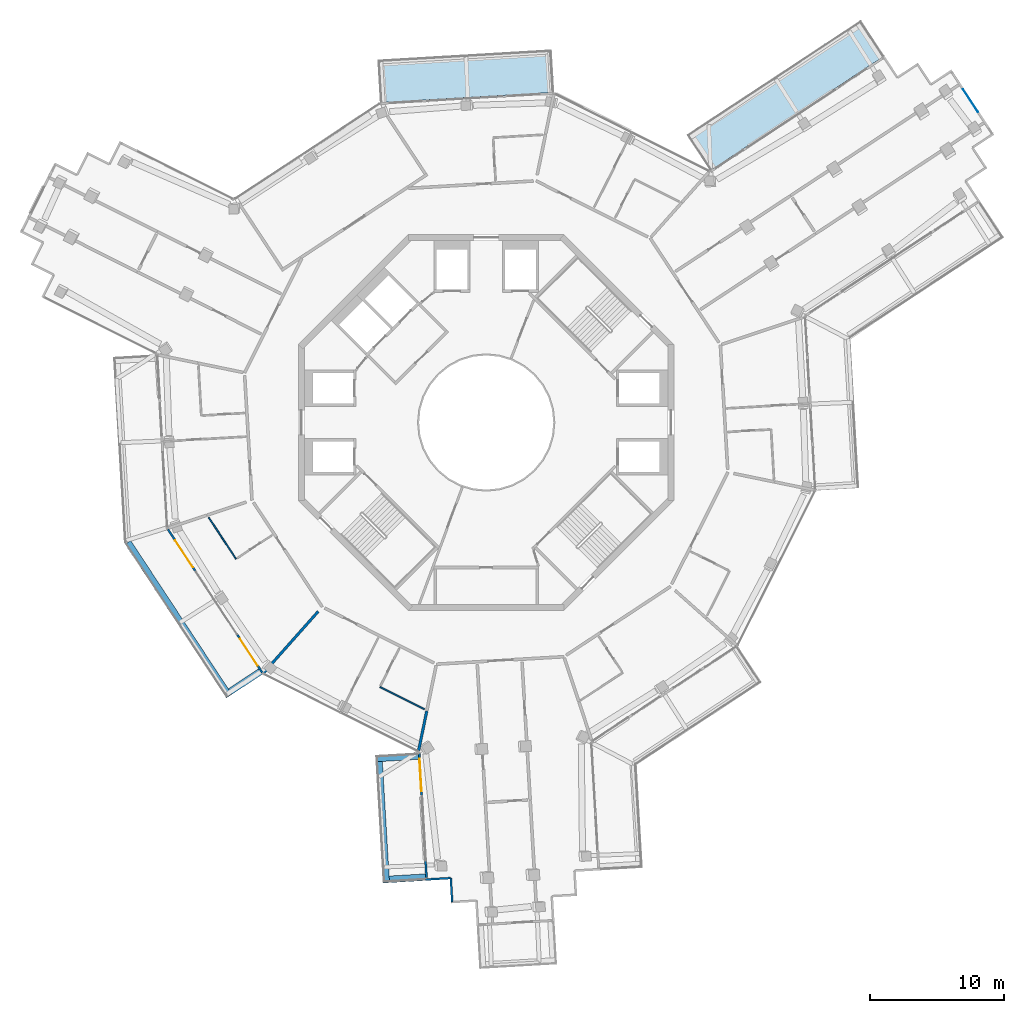
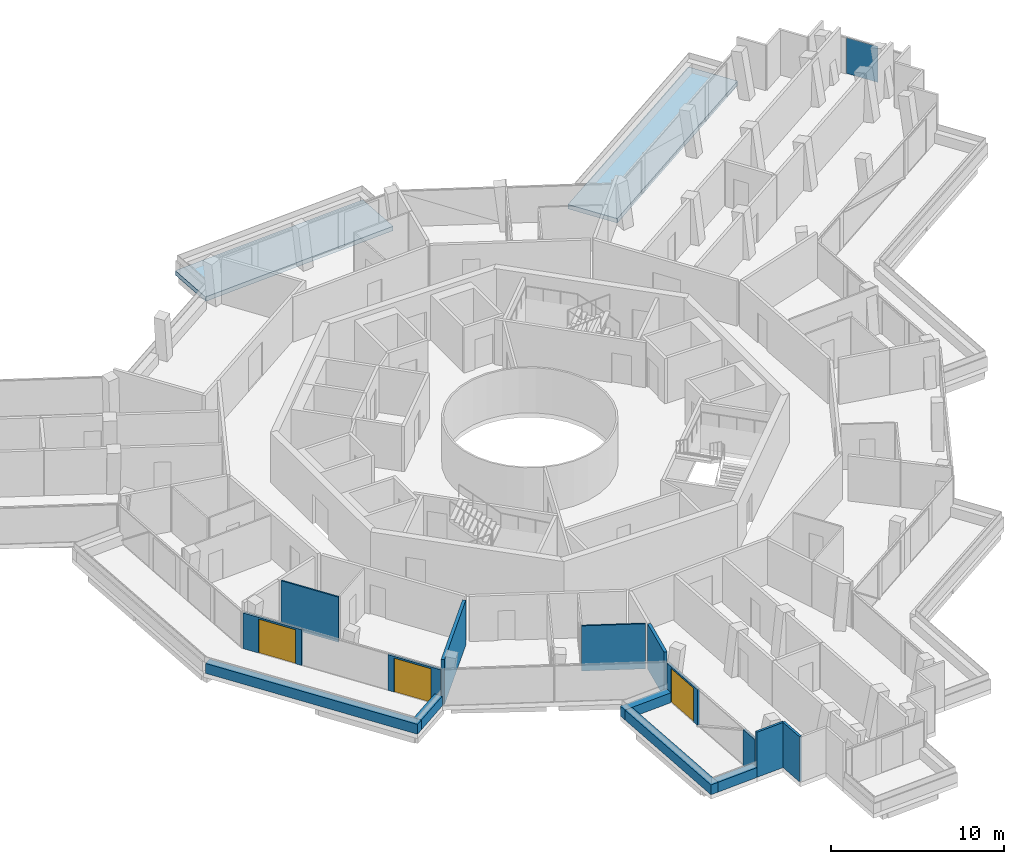
# One storey, part 17 of 26: 15 walls, 3 doors, 2 slabs, 1 plate, 3 openings, 1 element without a shape of its own.
"""IFC4 building model written with IfcOpenShell, lengths in metres."""

from ifc_helpers import new_model, si_unit, direction, frame, frame_2d, origin, origin_2d, place, context, subcontext, project, spatial, polyline, rectangle, outline, extrude, material, layer, layer_set, type_object, element, fill, aggregate, save


model = new_model("IFC4")

# Units and contexts
model_context = context("Model", 3, precision=1e-05, world=origin(), true_north=direction((0.0, 1.0)))
body_context = subcontext(model_context, "Body", "Model", "MODEL_VIEW")
ifc_project = project(units=[si_unit("LENGTHUNIT", "METRE"), si_unit("AREAUNIT", "SQUARE_METRE"), si_unit("VOLUMEUNIT", "CUBIC_METRE"), si_unit("PLANEANGLEUNIT", "RADIAN"), si_unit("MASSUNIT", "GRAM", prefix="KILO")], contexts=[model_context])

# Site, building, storey
site_placement = place(None, origin())
site = spatial("IfcSite", under=ifc_project, at=site_placement, CompositionType="ELEMENT")
building_placement = place(site_placement, origin())
building = spatial("IfcBuilding", under=site, at=building_placement, Name="Verdalira Terraces Hotel", CompositionType="ELEMENT")
storey_placement = place(building_placement, frame((0.0, 0.0, 291.5)))
storey = spatial("IfcBuildingStorey", under=building, at=storey_placement, Name="L72", CompositionType="ELEMENT", Elevation=291.5)

# Slabs
ifc_material_1 = material(Name="Precast concrete C40/50", Category="concrete")
ifc_layer_1 = layer(ifc_material_1, 0.31005859375)
ifc_layer_set_1 = layer_set([ifc_layer_1], Name="Balcony deck 310")
slab_type = type_object("IfcSlabType", Name="Balcony deck 310", PredefinedType="FLOOR", material=ifc_layer_set_1)
slab_1_placement = place(storey_placement, frame((0.0, 0.0, -0.310059)))
element("IfcSlab", 1, at=slab_1_placement, inside=storey, type_object=slab_type, Name="Balcony deck", PredefinedType="FLOOR", context=body_context, shape_type="SweptSolid", body=[
    extrude(outline(polyline([(14.927246, 21.441406), (16.687012, 18.768555), (29.672852, 27.318115), (27.913086, 29.990967), (14.927246, 21.441406)])), origin(), (0.0, 0.0, 1.0), 0.310059),
])
slab_2_placement = place(storey_placement, frame((0.0, 0.0, -0.310059)))
element("IfcSlab", 2, at=slab_2_placement, inside=storey, type_object=slab_type, Name="Balcony deck", PredefinedType="FLOOR", context=body_context, shape_type="SweptSolid", body=[
    extrude(outline(polyline([(-8.098145, 27.030273), (-7.910645, 23.835693), (5.067139, 24.597656), (4.879395, 27.791992), (-8.098145, 27.030273)])), origin(), (0.0, 0.0, 1.0), 0.310059),
])

# Curtain wall, plate
ifc_material_2 = material(Name="Clear glass", Category="glass")
ifc_layer_2 = layer(ifc_material_2, 0.14990234375)
ifc_layer_set_2 = layer_set([ifc_layer_2], Name="CW3 curtain wall")
curtain_wall_type = type_object("IfcCurtainWallType", Name="CW3 curtain wall", PredefinedType="NOTDEFINED", material=ifc_layer_set_2)
curtain_wall_placement = place(storey_placement, origin())
curtain_wall = element("IfcCurtainWall", 3, at=curtain_wall_placement, inside=storey, type_object=curtain_wall_type, Name="CW3 curtain wall L72 edge 33", PredefinedType="NOTDEFINED")
ifc_material_3 = material(Name="Clear glass", Category="glass")
ifc_layer_3 = layer(ifc_material_3, 0.035888671875)
ifc_layer_set_3 = layer_set([ifc_layer_3], Name="CW3 glass unit 36")
plate_type = type_object("IfcPlateType", Name="CW3 glass unit 36", PredefinedType="CURTAIN_PANEL", material=ifc_layer_set_3)
plate_placement = place(storey_placement, frame((36.083984, 23.990723, 0.0), z_axis=(0.0, 0.0, 1.0), x_axis=(-0.549897772, 0.835231968, 0.0)))
plate = element("IfcPlate", 4, at=plate_placement, type_object=plate_type, Name="CW3 glass unit", PredefinedType="CURTAIN_PANEL", context=body_context, shape_type="SweptSolid", body=[
    extrude(rectangle(XDim=2.029541, YDim=0.035889, at=origin_2d()), origin(), (0.0, 0.0, 1.0), 2.524902),
])
aggregate(curtain_wall, [plate])

# Walls
ifc_material_4 = material(Name="Concrete C40", Category="concrete")
ifc_layer_4 = layer(ifc_material_4, 0.5)
ifc_layer_set_4 = layer_set([ifc_layer_4], Name="Balcony planter trough with tree")
wall_type_1 = type_object("IfcWallType", Name="Balcony planter trough with tree", PredefinedType="SOLIDWALL", material=ifc_layer_set_4)
wall_1_placement = place(storey_placement, frame((-26.69751, -8.928467, 0.0), z_axis=(0.0, 0.0, 1.0), x_axis=(0.549900075, -0.835230452, 0.0)))
element("IfcWall", 5, at=wall_1_placement, inside=storey, type_object=wall_type_1, Name="Balcony planter", PredefinedType="SOLIDWALL", context=body_context, shape_type="SweptSolid", body=[
    extrude(rectangle(XDim=13.723633, YDim=0.5, at=frame_2d((6.861816, 0.0))), origin(), (0.0, 0.0, 1.0), 0.699951),
])
wall_2_placement = place(storey_placement, frame((-19.07959, -20.044434, 0.0), z_axis=(0.0, 0.0, 1.0), x_axis=(0.835250913, 0.549868995, 0.0)))
element("IfcWall", 6, at=wall_2_placement, inside=storey, type_object=wall_type_1, Name="Balcony planter", PredefinedType="SOLIDWALL", context=body_context, shape_type="SweptSolid", body=[
    extrude(rectangle(XDim=2.698975, YDim=0.5, at=frame_2d((1.349609, 0.0))), origin(), (0.0, 0.0, 1.0), 0.699951),
])
wall_3_placement = place(storey_placement, frame((-5.053467, -24.847168, 0.0), z_axis=(0.0, 0.0, 1.0), x_axis=(-0.998280684, -0.058614646, 0.0)))
element("IfcWall", 7, at=wall_3_placement, inside=storey, type_object=wall_type_1, Name="Balcony planter", PredefinedType="SOLIDWALL", context=body_context, shape_type="SweptSolid", body=[
    extrude(rectangle(XDim=3.198975, YDim=0.5, at=frame_2d((1.599609, 0.0))), origin(), (0.0, 0.0, 1.0), 0.699951),
])
wall_4_placement = place(storey_placement, frame((-7.982666, -25.269531, 0.0), z_axis=(0.0, 0.0, 1.0), x_axis=(0.058609711, -0.998280973, 0.0)))
element("IfcWall", 8, at=wall_4_placement, inside=storey, type_object=wall_type_1, Name="Balcony planter", PredefinedType="SOLIDWALL", context=body_context, shape_type="SweptSolid", body=[
    extrude(rectangle(XDim=9.047607, YDim=0.5, at=frame_2d((4.523926, 0.0))), origin(), (0.0, 0.0, 1.0), 0.699951),
])
wall_5_placement = place(storey_placement, frame((-7.217529, -34.037354, 0.0), z_axis=(0.0, 0.0, 1.0), x_axis=(0.998280606, 0.058615969, 0.0)))
element("IfcWall", 9, at=wall_5_placement, inside=storey, type_object=wall_type_1, Name="Balcony planter", PredefinedType="SOLIDWALL", context=body_context, shape_type="SweptSolid", body=[
    extrude(rectangle(XDim=2.698975, YDim=0.5, at=frame_2d((1.349609, 0.0))), origin(), (0.0, 0.0, 1.0), 0.699951),
])
ifc_material_5 = material(Name="Moisture-resistant gypsum board partition")
ifc_layer_5 = layer(ifc_material_5, 0.10009765625)
ifc_layer_set_5 = layer_set([ifc_layer_5], Name="Bathroom partition 100 mm")
wall_type_2 = type_object("IfcWallType", Name="Bathroom partition 100 mm", PredefinedType="PARTITIONING", material=ifc_layer_set_5)
wall_6_placement = place(storey_placement, frame((-18.638916, -10.16626, 0.0), z_axis=(0.0, 0.0, 1.0), x_axis=(-0.54989974, 0.835230673, 0.0)))
element("IfcWall", 10, at=wall_6_placement, inside=storey, type_object=wall_type_2, Name="Bathroom partition", PredefinedType="PARTITIONING", context=body_context, shape_type="SweptSolid", body=[
    extrude(rectangle(XDim=3.704102, YDim=0.100098, at=frame_2d((1.852051, 0.0))), origin(), (0.0, 0.0, 1.0), 3.189941),
])
wall_7_placement = place(storey_placement, frame((-7.915283, -19.700684, 0.0), z_axis=(0.0, 0.0, 1.0), x_axis=(0.893859612, -0.448346957, 0.0)))
element("IfcWall", 11, at=wall_7_placement, inside=storey, type_object=wall_type_2, Name="Bathroom partition", PredefinedType="PARTITIONING", context=body_context, shape_type="SweptSolid", body=[
    extrude(rectangle(XDim=3.703857, YDim=0.100098, at=frame_2d((1.852051, 0.0))), origin(), (0.0, 0.0, 1.0), 3.189941),
])
ifc_material_6 = material(Name="Fire-rated gypsum board wall")
ifc_layer_6 = layer(ifc_material_6, 0.199951171875)
ifc_layer_set_6 = layer_set([ifc_layer_6], Name="Demising wall 200 mm")
wall_type_3 = type_object("IfcWallType", Name="Demising wall 200 mm", PredefinedType="SOLIDWALL", material=ifc_layer_set_6)
wall_8_placement = place(storey_placement, frame((-12.512939, -14.07373, 0.0), z_axis=(0.0, 0.0, 1.0), x_axis=(-0.664445384, -0.747336826, 0.0)))
element("IfcWall", 12, at=wall_8_placement, inside=storey, type_object=wall_type_3, Name="Demising wall", PredefinedType="SOLIDWALL", context=body_context, shape_type="SweptSolid", body=[
    extrude(rectangle(XDim=6.13208, YDim=0.199951, at=frame_2d((3.065918, 0.0))), origin(), (0.0, 0.0, 1.0), 3.189941),
])
wall_9_placement = place(storey_placement, frame((-5.036865, -24.450684, 0.0), z_axis=(0.0, 0.0, 1.0), x_axis=(0.201787882, 0.979429248, 0.0)))
element("IfcWall", 13, at=wall_9_placement, inside=storey, type_object=wall_type_3, Name="Demising wall", PredefinedType="SOLIDWALL", context=body_context, shape_type="SweptSolid", body=[
    extrude(rectangle(XDim=3.011475, YDim=0.199951, at=frame_2d((1.505859, 0.0))), origin(), (0.0, 0.0, 1.0), 3.189941),
])
ifc_material_7 = material(Name="Terracotta cladding", Category="masonry")
ifc_layer_7 = layer(ifc_material_7, 0.14990234375)
ifc_layer_set_7 = layer_set([ifc_layer_7], Name="Terracotta clad wall 150")
wall_type_4 = type_object("IfcWallType", Name="Terracotta clad wall 150", PredefinedType="SOLIDWALL", material=ifc_layer_set_7)
wall_10_placement = place(storey_placement, frame((-4.511963, -34.053711, 0.0), z_axis=(0.0, 0.0, 1.0), x_axis=(0.998281997, 0.058592265, 0.0)))
element("IfcWall", 14, at=wall_10_placement, inside=storey, type_object=wall_type_4, Name="Terracotta cladding wall", PredefinedType="SOLIDWALL", context=body_context, shape_type="SweptSolid", body=[
    extrude(rectangle(XDim=1.875, YDim=0.149902, at=frame_2d((0.9375, 0.0))), origin(), (0.0, 0.0, 1.0), 3.189941),
])
wall_11_placement = place(storey_placement, frame((-2.640137, -33.943848, 0.0), z_axis=(0.0, 0.0, 1.0), x_axis=(0.058594804, -0.998281848, 0.0)))
element("IfcWall", 15, at=wall_11_placement, inside=storey, type_object=wall_type_4, Name="Terracotta cladding wall", PredefinedType="SOLIDWALL", context=body_context, shape_type="SweptSolid", body=[
    extrude(rectangle(XDim=1.800049, YDim=0.149902, at=frame_2d((0.899902, 0.0))), origin(), (0.0, 0.0, 1.0), 3.189941),
])
ifc_material_8 = material(Name="Terracotta cladding", Category="masonry")
ifc_layer_8 = layer(ifc_material_8, 0.14990234375)
ifc_layer_set_8 = layer_set([ifc_layer_8], Name="Terracotta column pier 150")
wall_type_5 = type_object("IfcWallType", Name="Terracotta column pier 150", PredefinedType="SOLIDWALL", material=ifc_layer_set_8)
wall_12_placement = place(storey_placement, frame((-4.52002, -32.636719, 0.0), z_axis=(0.0, 0.0, 1.0), x_axis=(0.05863187, -0.998279672, 0.0)))
element("IfcWall", 16, at=wall_12_placement, inside=storey, type_object=wall_type_5, Name="Terracotta column pier", PredefinedType="SOLIDWALL", context=body_context, shape_type="SweptSolid", body=[
    extrude(rectangle(XDim=1.27002, YDim=0.149902, at=frame_2d((0.63501, 0.0))), origin(), (0.0, 0.0, 1.0), 2.524902),
])

# Wall, opening, door
ifc_material_9 = material(Name="Terracotta cladding", Category="masonry")
ifc_layer_9 = layer(ifc_material_9, 0.14990234375)
ifc_layer_set_9 = layer_set([ifc_layer_9], Name="Terracotta door pier 150")
wall_type_6 = type_object("IfcWallType", Name="Terracotta door pier 150", PredefinedType="SOLIDWALL", material=ifc_layer_set_9)
wall_13_placement = place(storey_placement, frame((-23.718018, -7.953125, 0.0), z_axis=(0.0, 0.0, 1.0), x_axis=(0.549914882, -0.835220703, 0.0)))
wall_13 = element("IfcWall", 17, at=wall_13_placement, inside=storey, type_object=wall_type_6, Name="Terracotta door pier", PredefinedType="SOLIDWALL", context=body_context, shape_type="SweptSolid", body=[
    extrude(rectangle(XDim=3.786621, YDim=0.149902, at=frame_2d((1.893311, 0.0))), origin(), (0.0, 0.0, 1.0), 2.524902),
])
opening_1_placement = place(wall_13_placement, frame((0.986572, 0.0, 0.0)))
opening_1 = element("IfcOpeningElement", 18, at=opening_1_placement, cuts=wall_13, Name="Opening L72-B03", PredefinedType="OPENING", context=body_context, shape_type="SweptSolid", body=[
    extrude(rectangle(XDim=2.399902, YDim=2.399902, at=frame_2d((1.199951, 1.199951))), frame((0.0, 0.084961, 0.0), z_axis=(0.0, -1.0, 0.0), x_axis=(1.0, 0.0, 0.0)), (0.0, 0.0, 1.0), 0.169922),
])
ifc_material_10 = material(Name="Clear glass", Category="glass")
door_type = type_object("IfcDoorType", Name="Balcony sliding door 2400x2400", OperationType="NOTDEFINED", PredefinedType="DOOR", material=ifc_material_10)
door_1_placement = place(opening_1_placement, origin())
door_1 = element("IfcDoor", 19, at=door_1_placement, inside=storey, type_object=door_type, Name="Balcony sliding door", OperationType="SLIDING_TO_LEFT", OverallHeight=2.39990234375, OverallWidth=2.39990234375, PredefinedType="DOOR", context=body_context, shape_type="SweptSolid", body=[
    extrude(rectangle(XDim=2.399902, YDim=2.399902, at=frame_2d((1.199951, 1.199951))), frame((0.0, 0.024902, 0.0), z_axis=(0.0, -1.0, 0.0), x_axis=(1.0, 0.0, 0.0)), (0.0, 0.0, 1.0), 0.050049),
])
fill(opening_1, door_1)

wall_14_placement = place(storey_placement, frame((-18.563721, -15.781494, 0.0), z_axis=(0.0, 0.0, 1.0), x_axis=(0.54985724, -0.835258652, 0.0)))
wall_14 = element("IfcWall", 20, at=wall_14_placement, inside=storey, type_object=wall_type_6, Name="Terracotta door pier", PredefinedType="SOLIDWALL", context=body_context, shape_type="SweptSolid", body=[
    extrude(rectangle(XDim=3.426758, YDim=0.149902, at=frame_2d((1.713379, 0.0))), origin(), (0.0, 0.0, 1.0), 2.524902),
])
opening_2_placement = place(wall_14_placement, frame((0.399902, 0.0, 0.0)))
opening_2 = element("IfcOpeningElement", 21, at=opening_2_placement, cuts=wall_14, Name="Opening L72-B04", PredefinedType="OPENING", context=body_context, shape_type="SweptSolid", body=[
    extrude(rectangle(XDim=2.399902, YDim=2.399902, at=frame_2d((1.199951, 1.199951))), frame((0.0, 0.084961, 0.0), z_axis=(0.0, -1.0, 0.0), x_axis=(1.0, 0.0, 0.0)), (0.0, 0.0, 1.0), 0.169922),
])
door_2_placement = place(opening_2_placement, origin())
door_2 = element("IfcDoor", 22, at=door_2_placement, inside=storey, type_object=door_type, Name="Balcony sliding door", OperationType="SLIDING_TO_RIGHT", OverallHeight=2.39990234375, OverallWidth=2.39990234375, PredefinedType="DOOR", context=body_context, shape_type="SweptSolid", body=[
    extrude(rectangle(XDim=2.399902, YDim=2.399902, at=frame_2d((1.199951, 1.199951))), frame((0.0, 0.024902, 0.0), z_axis=(0.0, -1.0, 0.0), x_axis=(1.0, 0.0, 0.0)), (0.0, 0.0, 1.0), 0.050049),
])
fill(opening_2, door_2)

wall_15_placement = place(storey_placement, frame((-4.988037, -24.663086, 0.0), z_axis=(0.0, 0.0, 1.0), x_axis=(0.058592325, -0.998281994, 0.0)))
wall_15 = element("IfcWall", 23, at=wall_15_placement, inside=storey, type_object=wall_type_6, Name="Terracotta door pier", PredefinedType="SOLIDWALL", context=body_context, shape_type="SweptSolid", body=[
    extrude(rectangle(XDim=3.200195, YDim=0.149902, at=frame_2d((1.600098, 0.0))), origin(), (0.0, 0.0, 1.0), 2.524902),
])
opening_3_placement = place(wall_15_placement, frame((0.399902, 0.0, 0.0)))
opening_3 = element("IfcOpeningElement", 24, at=opening_3_placement, cuts=wall_15, Name="Opening L72-B05", PredefinedType="OPENING", context=body_context, shape_type="SweptSolid", body=[
    extrude(rectangle(XDim=2.399902, YDim=2.399902, at=frame_2d((1.199951, 1.199951))), frame((0.0, 0.084961, 0.0), z_axis=(0.0, -1.0, 0.0), x_axis=(1.0, 0.0, 0.0)), (0.0, 0.0, 1.0), 0.169922),
])
door_3_placement = place(opening_3_placement, origin())
door_3 = element("IfcDoor", 25, at=door_3_placement, inside=storey, type_object=door_type, Name="Balcony sliding door", OperationType="SLIDING_TO_LEFT", OverallHeight=2.39990234375, OverallWidth=2.39990234375, PredefinedType="DOOR", context=body_context, shape_type="SweptSolid", body=[
    extrude(rectangle(XDim=2.399902, YDim=2.399902, at=frame_2d((1.199951, 1.199951))), frame((0.0, 0.024902, 0.0), z_axis=(0.0, -1.0, 0.0), x_axis=(1.0, 0.0, 0.0)), (0.0, 0.0, 1.0), 0.050049),
])
fill(opening_3, door_3)

save(model, "model.ifc")
